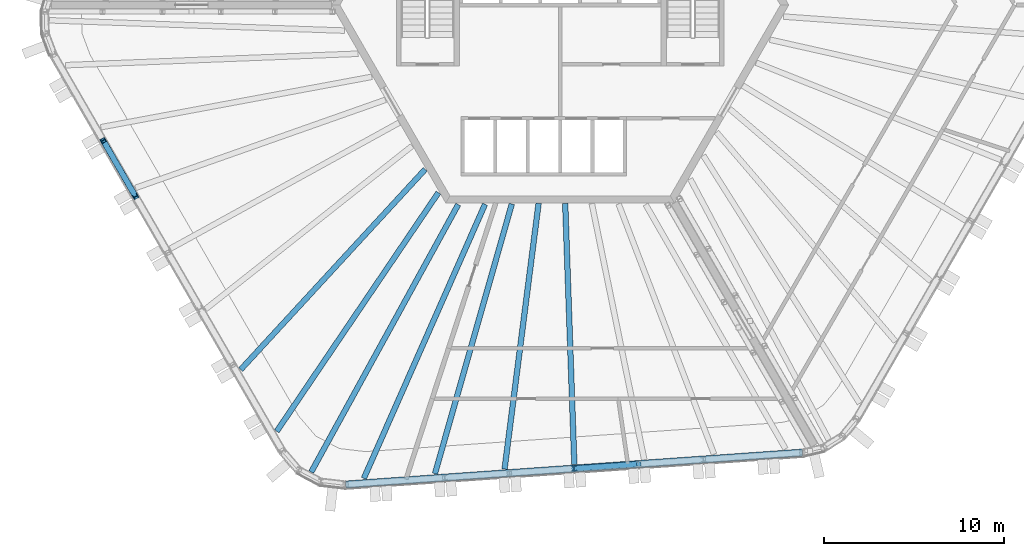
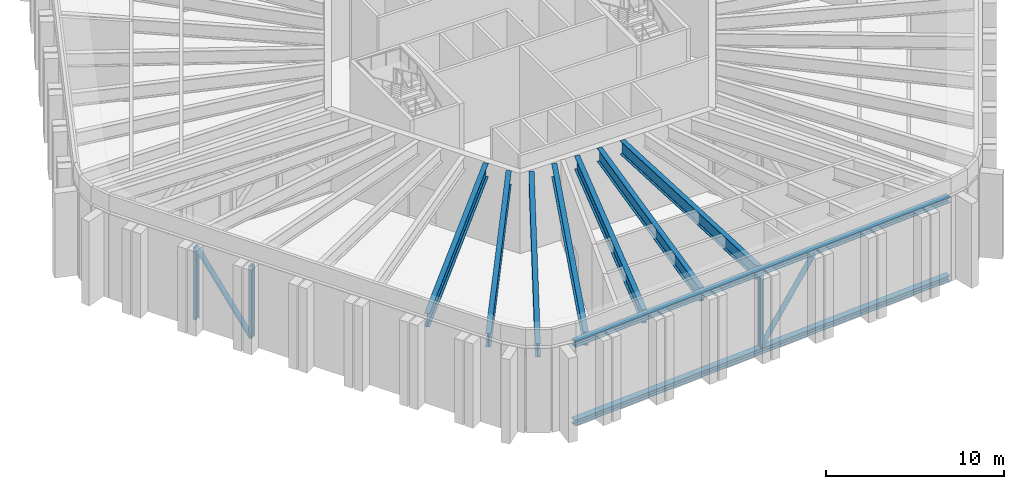
# One storey, part 2 of 19: 7 beams, 7 members.
"""IFC4 building model written with IfcOpenShell, lengths in metres."""

from ifc_helpers import new_model, si_unit, direction, frame, origin, origin_2d, place, context, subcontext, project, spatial, hollow_circle, i_section, extrude, material, material_profile, profile_set, type_object, element, save


model = new_model("IFC4")

# Units and contexts
model_context = context("Model", 3, precision=1e-05, world=origin(), true_north=direction((0.0, 1.0)))
body_context = subcontext(model_context, "Body", "Model", "MODEL_VIEW")
ifc_project = project(units=[si_unit("LENGTHUNIT", "METRE"), si_unit("AREAUNIT", "SQUARE_METRE"), si_unit("VOLUMEUNIT", "CUBIC_METRE"), si_unit("PLANEANGLEUNIT", "RADIAN"), si_unit("MASSUNIT", "GRAM", prefix="KILO")], contexts=[model_context])

# Site, building, storey
site_placement = place(None, origin())
site = spatial("IfcSite", under=ifc_project, at=site_placement, CompositionType="ELEMENT")
building_placement = place(site_placement, origin())
building = spatial("IfcBuilding", under=site, at=building_placement, Name="Tarnside Tower", CompositionType="ELEMENT")
storey_placement = place(building_placement, frame((0.0, 0.0, 343.5)))
storey = spatial("IfcBuildingStorey", under=building, at=storey_placement, Name="L83", CompositionType="ELEMENT", Elevation=343.5)

# Beams
ifc_material = material(Name="Steel S355", Category="steel")
ifc_material_profile_1 = material_profile(ifc_material, i_section(OverallWidth=0.3076171875, OverallDepth=0.926513671875, WebThickness=0.01953125, FlangeThickness=0.031982421875, FilletRadius=0.01904296875, at=origin_2d()), Name="UB 914x305x289")
ifc_profile_set_1 = profile_set([ifc_material_profile_1], Name="Steel S355")
beam_type = type_object("IfcBeamType", Name="Floor beam UB 914x305x289", PredefinedType="BEAM", material=ifc_profile_set_1)
beam_1_placement = place(storey_placement, frame((-17.7421875, -20.252197265625, 5.03662109375), z_axis=(0.677507934413, 0.735515464696, 0.0), x_axis=(-0.735515464696, 0.677507934413, 0.0)))
element("IfcBeam", 1, at=beam_1_placement, inside=storey, type_object=beam_type, Name="Floor beam F3.06", PredefinedType="BEAM", context=body_context, shape_type="SweptSolid", body=[
    extrude(i_section(OverallWidth=0.3076171875, OverallDepth=0.926513671875, WebThickness=0.01953125, FlangeThickness=0.031982421875, FilletRadius=0.01904296875, at=origin_2d()), origin(), (0.0, 0.0, 1.0), 15.1220703125),
])
beam_2_placement = place(storey_placement, frame((-15.7431640625, -23.68505859375, 5.03662109375), z_axis=(0.560779702639, 0.827965050656, 0.0), x_axis=(-0.827965050656, 0.560779702639, 0.0)))
element("IfcBeam", 2, at=beam_2_placement, inside=storey, type_object=beam_type, Name="Floor beam F3.07", PredefinedType="BEAM", context=body_context, shape_type="SweptSolid", body=[
    extrude(i_section(OverallWidth=0.3076171875, OverallDepth=0.926513671875, WebThickness=0.01953125, FlangeThickness=0.031982421875, FilletRadius=0.01904296875, at=origin_2d()), origin(), (0.0, 0.0, 1.0), 16.01171875),
])
beam_3_placement = place(storey_placement, frame((-13.8310546875, -25.949951171875, 5.03662109375), z_axis=(0.481677791252, 0.876348392715, 0.0), x_axis=(-0.876348392715, 0.481677791252, 0.0)))
element("IfcBeam", 3, at=beam_3_placement, inside=storey, type_object=beam_type, Name="Floor beam C3", PredefinedType="BEAM", context=body_context, shape_type="SweptSolid", body=[
    extrude(i_section(OverallWidth=0.3076171875, OverallDepth=0.926513671875, WebThickness=0.01953125, FlangeThickness=0.031982421875, FilletRadius=0.01904296875, at=origin_2d()), origin(), (0.0, 0.0, 1.0), 16.95947265625),
])
beam_4_placement = place(storey_placement, frame((-10.906005859375, -26.302490234375, 5.03662109375), z_axis=(0.404374656848, 0.914593427103, 0.0), x_axis=(-0.914593427103, 0.404374656848, 0.0)))
element("IfcBeam", 4, at=beam_4_placement, inside=storey, type_object=beam_type, Name="Floor beam F4.01", PredefinedType="BEAM", context=body_context, shape_type="SweptSolid", body=[
    extrude(i_section(OverallWidth=0.3076171875, OverallDepth=0.926513671875, WebThickness=0.01953125, FlangeThickness=0.031982421875, FilletRadius=0.01904296875, at=origin_2d()), origin(), (0.0, 0.0, 1.0), 16.6513671875),
])
beam_5_placement = place(storey_placement, frame((-6.9541015625, -26.04052734375, 5.03662109375), z_axis=(0.274151922596, 0.961686395525, 0.0), x_axis=(-0.961686395525, 0.274151922596, 0.0)))
element("IfcBeam", 5, at=beam_5_placement, inside=storey, type_object=beam_type, Name="Floor beam F4.02", PredefinedType="BEAM", context=body_context, shape_type="SweptSolid", body=[
    extrude(i_section(OverallWidth=0.3076171875, OverallDepth=0.926513671875, WebThickness=0.01953125, FlangeThickness=0.031982421875, FilletRadius=0.01904296875, at=origin_2d()), origin(), (0.0, 0.0, 1.0), 15.579833984375),
])
beam_6_placement = place(storey_placement, frame((-3.0869140625, -25.787353515625, 5.03662109375), z_axis=(0.127053452155, 0.9918958717, 0.0), x_axis=(-0.9918958717, 0.127053452155, 0.0)))
element("IfcBeam", 6, at=beam_6_placement, inside=storey, type_object=beam_type, Name="Floor beam F4.03", PredefinedType="BEAM", context=body_context, shape_type="SweptSolid", body=[
    extrude(i_section(OverallWidth=0.3076171875, OverallDepth=0.926513671875, WebThickness=0.01953125, FlangeThickness=0.031982421875, FilletRadius=0.01904296875, at=origin_2d()), origin(), (0.0, 0.0, 1.0), 14.88818359375),
])
beam_7_placement = place(storey_placement, frame((0.79052734375, -25.53564453125, 5.03662109375), z_axis=(-0.035029618478, 0.999386274585, 0.0), x_axis=(-0.999386274585, -0.035029618478, 0.0)))
element("IfcBeam", 7, at=beam_7_placement, inside=storey, type_object=beam_type, Name="Floor beam F4.04", PredefinedType="BEAM", context=body_context, shape_type="SweptSolid", body=[
    extrude(i_section(OverallWidth=0.3076171875, OverallDepth=0.926513671875, WebThickness=0.01953125, FlangeThickness=0.031982421875, FilletRadius=0.01904296875, at=origin_2d()), origin(), (0.0, 0.0, 1.0), 14.524658203125),
])

# Members
ifc_material_profile_2 = material_profile(ifc_material, i_section(OverallWidth=0.39892578125, OverallDepth=0.3935546875, WebThickness=0.022705078125, FlangeThickness=0.03662109375, FilletRadius=0.01513671875, at=origin_2d()), Name="UC 356x406x287")
ifc_profile_set_2 = profile_set([ifc_material_profile_2], Name="Steel S355")
member_type_1 = type_object("IfcMemberType", Name="Truss chord UC 356x406x287", PredefinedType="CHORD", material=ifc_profile_set_2)
member_1_placement = place(storey_placement, frame((-11.91748046875, -26.646240234375, -0.103271484375), z_axis=(0.997564150934, 0.069755034023, 0.0), x_axis=(-0.069755034023, 0.997564150934, 0.0)))
element("IfcMember", 8, at=member_1_placement, inside=storey, type_object=member_type_1, Name="Belt truss bottom chord L83 run", PredefinedType="CHORD", context=body_context, shape_type="SweptSolid", body=[
    extrude(i_section(OverallWidth=0.39892578125, OverallDepth=0.3935546875, WebThickness=0.022705078125, FlangeThickness=0.03662109375, FilletRadius=0.01513671875, at=origin_2d()), origin(), (0.0, 0.0, 1.0), 25.44482421875),
])
ifc_material_profile_3 = material_profile(ifc_material, i_section(OverallWidth=0.403076171875, OverallDepth=0.406494140625, WebThickness=0.026611328125, FlangeThickness=0.04296875, FilletRadius=0.01513671875, at=origin_2d()), Name="UC 356x406x340")
ifc_profile_set_3 = profile_set([ifc_material_profile_3], Name="Steel S355")
member_type_2 = type_object("IfcMemberType", Name="Truss chord UC 356x406x340", PredefinedType="CHORD", material=ifc_profile_set_3)
member_2_placement = place(storey_placement, frame((-11.91748046875, -26.646240234375, 5.296875), z_axis=(0.997564150934, 0.069755034023, 0.0), x_axis=(-0.069755034023, 0.997564150934, 0.0)))
element("IfcMember", 9, at=member_2_placement, inside=storey, type_object=member_type_2, Name="Belt truss top chord L83 run", PredefinedType="CHORD", context=body_context, shape_type="SweptSolid", body=[
    extrude(i_section(OverallWidth=0.403076171875, OverallDepth=0.406494140625, WebThickness=0.026611328125, FlangeThickness=0.04296875, FilletRadius=0.01513671875, at=origin_2d()), origin(), (0.0, 0.0, 1.0), 25.44482421875),
])
ifc_material_profile_4 = material_profile(ifc_material, hollow_circle(Radius=0.161865234375, WallThickness=0.012451171875, at=origin_2d()), Name="CHS 323.9x12.5")
ifc_profile_set_4 = profile_set([ifc_material_profile_4], Name="Steel S355")
member_type_3 = type_object("IfcMemberType", Name="Truss diagonal CHS 323.9x12.5", PredefinedType="BRACE", material=ifc_profile_set_4)
for number, where, z_axis, x_axis, name in (
    (10, (-25.3876953125, -7.527099609375, 5.093505859375), (0.292123743722, -0.506025530023, -0.811542901712), (0.866047807691, 0.499961193289, 0.0), "Belt truss diagonal L83 20"),
    (11, (0.77392578125, -25.7587890625, 0.093505859375), (0.582889373253, 0.04077451836, 0.811527828975), (-0.069781888421, 0.997562272767, 0.0), "Belt truss diagonal L83 31"),
):
    element("IfcMember", number, at=place(storey_placement, frame(where, z_axis=z_axis, x_axis=x_axis)), inside=storey, type_object=member_type_3, Name=name, PredefinedType="BRACE", context=body_context, shape_type="SweptSolid", body=[
        extrude(hollow_circle(Radius=0.161865234375, WallThickness=0.012451171875, at=origin_2d()), origin(), (0.0, 0.0, 1.0), 6.1611328125),
    ])
ifc_material_profile_5 = material_profile(ifc_material, i_section(OverallWidth=0.26123046875, OverallDepth=0.2763671875, WebThickness=0.015380859375, FlangeThickness=0.025390625, FilletRadius=0.0126953125, at=origin_2d()), Name="UC 254x254x132")
ifc_profile_set_5 = profile_set([ifc_material_profile_5], Name="Steel S355")
member_type_4 = type_object("IfcMemberType", Name="Truss post UC 254x254x132", PredefinedType="POST", material=ifc_profile_set_5)
for number, where, z_axis, x_axis, name in (
    (12, (-25.3876953125, -7.527099609375, 0.093505859375), (0.0, 0.0, 1.0), (0.5, -0.866025403784, 0.0), "Belt truss post L83 20"),
    (13, (-23.587890625, -10.644775390625, 0.093505859375), (0.0, 0.0, 1.0), (0.5, -0.866025403784, 0.0), "Belt truss post L83 21"),
    (14, (0.77392578125, -25.7587890625, 0.093505859375), (0.0, 0.0, 1.0), (0.99756405026, 0.069756473744, 0.0), "Belt truss post L83 31"),
):
    element("IfcMember", number, at=place(storey_placement, frame(where, z_axis=z_axis, x_axis=x_axis)), inside=storey, type_object=member_type_4, Name=name, PredefinedType="POST", context=body_context, shape_type="SweptSolid", body=[
        extrude(i_section(OverallWidth=0.26123046875, OverallDepth=0.2763671875, WebThickness=0.015380859375, FlangeThickness=0.025390625, FilletRadius=0.0126953125, at=origin_2d()), origin(), (0.0, 0.0, 1.0), 5.0),
    ])

save(model, "model.ifc")
